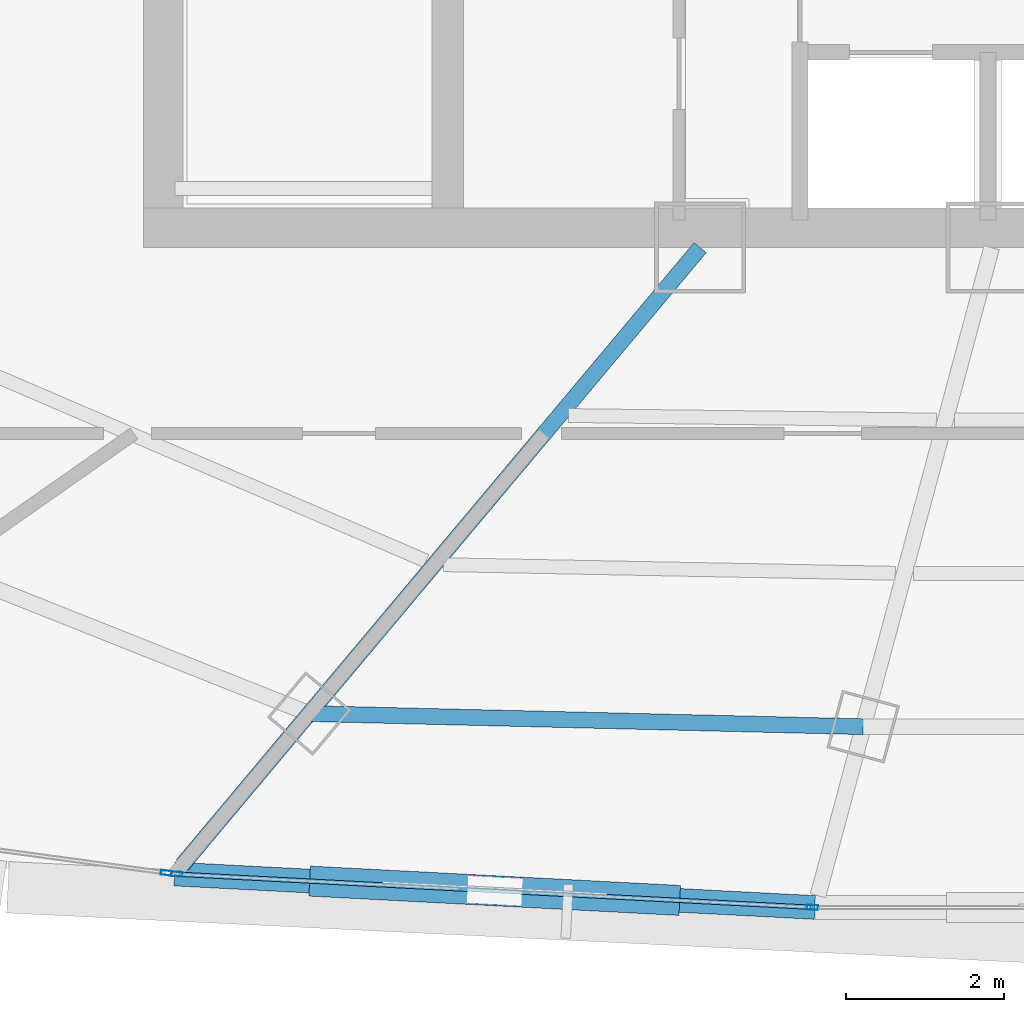
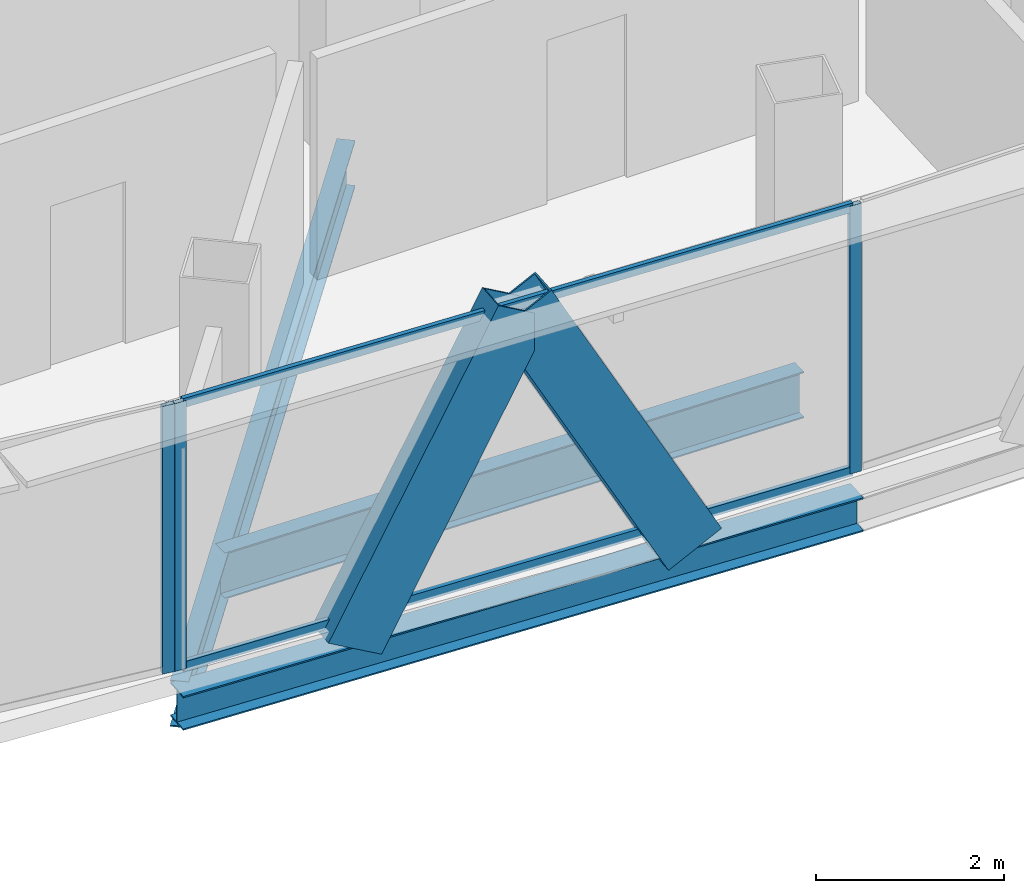
# One storey, part 6 of 40: 7 members, 3 beams, 2 elements without a shape of their own.
"""IFC4 building model written with IfcOpenShell, lengths in metres."""

from ifc_helpers import new_model, si_unit, direction, frame, origin, origin_2d, place, context, subcontext, project, spatial, hollow_rectangle, i_section, extrude, source, transform, mapped, material, layer, layer_set, material_profile, profile_set, type_object, element, aggregate, save


model = new_model("IFC4")

# Units and contexts
model_context = context("Model", 3, precision=1e-05, world=origin(), true_north=direction((0.0, 1.0)))
body_context = subcontext(model_context, "Body", "Model", "MODEL_VIEW")
ifc_project = project(units=[si_unit("LENGTHUNIT", "METRE"), si_unit("AREAUNIT", "SQUARE_METRE"), si_unit("VOLUMEUNIT", "CUBIC_METRE"), si_unit("PLANEANGLEUNIT", "RADIAN"), si_unit("MASSUNIT", "GRAM", prefix="KILO"), si_unit("THERMODYNAMICTEMPERATUREUNIT", "KELVIN"), si_unit("POWERUNIT", "WATT")], contexts=[model_context])

# Site, building, storey
site_placement = place(None, origin())
site = spatial("IfcSite", under=ifc_project, at=site_placement, CompositionType="ELEMENT")
building_placement = place(site_placement, origin())
building = spatial("IfcBuilding", under=site, at=building_placement, Name="Yunzhuo Pagoda Commons", CompositionType="ELEMENT")
storey_placement = place(building_placement, frame((0.0, 0.0, 292.47998046875)))
storey = spatial("IfcBuildingStorey", under=building, at=storey_placement, Name="L73", CompositionType="ELEMENT", Elevation=292.47998046875)

# Beams
ifc_material_1 = material(Name="Structural steel Q355B", Category="steel")
ifc_material_profile_1 = material_profile(ifc_material_1, i_section(OverallWidth=0.199951171875, OverallDepth=0.60009765625, WebThickness=0.010986328125, FlangeThickness=0.01708984375, at=origin_2d()), Name="Structural steel Q355B")
ifc_profile_set_1 = profile_set([ifc_material_profile_1], Name="Structural steel Q355B")
beam_type_1 = type_object("IfcBeamType", Name="B-RG3 Beam HN 600x200x11x17", PredefinedType="BEAM", material=ifc_profile_set_1)
shared_shape_1 = source(origin(), body_context, "Body", "SweptSolid", [
    extrude(i_section(OverallWidth=0.199951171875, OverallDepth=0.60009765625, WebThickness=0.010986328125, FlangeThickness=0.01708984375, at=origin_2d()), origin(), (0.0, 0.0, 1.0), 7.00439453125),
])
beam_1_placement = place(storey_placement, frame((37.64697265625, 21.361572265625, -0.56005859375), z_axis=(0.999719077883, -0.023701588905, 0.0), x_axis=(0.023701588905, 0.999719077883, 0.0)))
element("IfcBeam", 1, at=beam_1_placement, inside=storey, type_object=beam_type_1, Name="L73 column-ring beam 1", PredefinedType="BEAM", context=body_context, shape_type="MappedRepresentation", body=[
    mapped(shared_shape_1, transform((0.0, 0.0, 0.0), scale=1.0)),
])
shared_shape_2 = source(origin(), body_context, "Body", "SweptSolid", [
    extrude(i_section(OverallWidth=0.199951171875, OverallDepth=0.60009765625, WebThickness=0.010986328125, FlangeThickness=0.01708984375, at=origin_2d()), origin(), (0.0, 0.0, 1.0), 10.179443359375),
])
beam_2_placement = place(storey_placement, frame((36.044677734375, 19.4521484375, -0.56005859375), z_axis=(0.642789830325, 0.766042579776, 0.0), x_axis=(-0.766042579776, 0.642789830325, 0.0)))
element("IfcBeam", 2, at=beam_2_placement, inside=storey, type_object=beam_type_1, Name="L73 radial floor girder F1C1", PredefinedType="BEAM", context=body_context, shape_type="MappedRepresentation", body=[
    mapped(shared_shape_2, transform((0.0, 0.0, 0.0), scale=1.0)),
])
ifc_material_profile_2 = material_profile(ifc_material_1, i_section(OverallWidth=0.300048828125, OverallDepth=0.43994140625, WebThickness=0.010986328125, FlangeThickness=0.01806640625, at=origin_2d()), Name="Structural steel Q355B")
ifc_profile_set_2 = profile_set([ifc_material_profile_2], Name="Structural steel Q355B")
beam_type_2 = type_object("IfcBeamType", Name="B-SP2 Beam HM 440x300x11x18", PredefinedType="BEAM", material=ifc_profile_set_2)
shared_shape_3 = source(origin(), body_context, "Body", "SweptSolid", [
    extrude(i_section(OverallWidth=0.300048828125, OverallDepth=0.43994140625, WebThickness=0.010986328125, FlangeThickness=0.01806640625, at=origin_2d()), origin(), (0.0, 0.0, 1.0), 8.10302734375),
])
beam_3_placement = place(storey_placement, frame((35.945068359375, 19.33349609375, -0.47998046875), z_axis=(0.998639054255, -0.052153996166, 0.0), x_axis=(0.052153996166, 0.998639054255, 0.0)))
element("IfcBeam", 3, at=beam_3_placement, inside=storey, type_object=beam_type_2, Name="L73 facade edge spandrel beam F1.1", PredefinedType="BEAM", context=body_context, shape_type="MappedRepresentation", body=[
    mapped(shared_shape_3, transform((0.0, 0.0, 0.0), scale=1.0)),
])

# Members
ifc_material_profile_3 = material_profile(ifc_material_1, hollow_rectangle(XDim=0.3798828125, YDim=0.719970703125, WallThickness=0.02001953125, at=origin_2d()), Name="Structural steel Q355B")
ifc_profile_set_3 = profile_set([ifc_material_profile_3], Name="Structural steel Q355B")
member_type_1 = type_object("IfcMemberType", Name="M-DL3 Brace BOX 720x380x20", PredefinedType="BRACE", material=ifc_profile_set_3)
shared_shape_4 = source(origin(), body_context, "Body", "SweptSolid", [
    extrude(hollow_rectangle(XDim=0.3798828125, YDim=0.719970703125, WallThickness=0.02001953125, at=origin_2d()), origin(), (0.0, 0.0, 1.0), 4.24462890625),
])
for number, where, z_axis, x_axis, name in (
    (4, (37.968017578125, 19.227783203125, -0.260009765625), (0.476643031928, -0.024904842865, 0.878744086134), (0.052179333581, 0.998637730685, 0.0), "L73 facade diamond brace F1.1L"),
    (5, (42.01416015625, 19.016357421875, -0.260009765625), (-0.476598580338, 0.02490552562, 0.878768176491), (-0.052185613721, -0.998637402524, 0.0), "L73 facade diamond brace F1.1R"),
):
    element("IfcMember", number, at=place(storey_placement, frame(where, z_axis=z_axis, x_axis=x_axis)), inside=storey, type_object=member_type_1, Name=name, PredefinedType="BRACE", context=body_context, shape_type="MappedRepresentation", body=[
        mapped(shared_shape_4, transform((0.0, 0.0, 0.0), scale=1.0)),
    ])

# Curtain wall, members
ifc_material_2 = material(Name="Anodized aluminium 6063-T6", Category="aluminium")
ifc_layer = layer(ifc_material_2, 0.139892578125)
ifc_layer_set = layer_set([ifc_layer], Name="Anodized aluminium 6063-T6")
curtain_wall_type = type_object("IfcCurtainWallType", Name="CW-HI High-Zone Ribbon Curtain Wall", PredefinedType="NOTDEFINED", material=ifc_layer_set)
curtain_wall_1_placement = place(storey_placement, origin())
curtain_wall_1 = element("IfcCurtainWall", 6, at=curtain_wall_1_placement, inside=storey, type_object=curtain_wall_type, Name="L73 curtain wall CW-L73-F1B2", PredefinedType="NOTDEFINED")
ifc_material_profile_4 = material_profile(ifc_material_2, hollow_rectangle(XDim=0.06005859375, YDim=0.139892578125, WallThickness=0.00341796875, at=origin_2d()), Name="Anodized aluminium 6063-T6")
ifc_profile_set_4 = profile_set([ifc_material_profile_4], Name="Anodized aluminium 6063-T6")
member_type_2 = type_object("IfcMemberType", Name="CW-HI-M Mullion RHS 140x60x3.5", PredefinedType="MULLION", material=ifc_profile_set_4)
shared_shape_5 = source(origin(), body_context, "Body", "SweptSolid", [
    extrude(hollow_rectangle(XDim=0.06005859375, YDim=0.139892578125, WallThickness=0.00341796875, at=origin_2d()), origin(), (0.0, 0.0, 1.0), 3.4697265625),
])
member_1_placement = place(storey_placement, frame((35.97509765625, 19.33203125, 0.000244140625), z_axis=(0.0, 0.0, 1.0), x_axis=(0.052189625547, 0.998637192871, 0.0)))
member_1 = element("IfcMember", 7, at=member_1_placement, type_object=member_type_2, Name="CW mullion 1", PredefinedType="MULLION", context=body_context, shape_type="MappedRepresentation", body=[
    mapped(shared_shape_5, transform((0.0, 0.0, 0.0), scale=1.0)),
])
member_2_placement = place(storey_placement, frame((44.00732421875, 18.912109375, 0.000244140625), z_axis=(0.0, 0.0, 1.0), x_axis=(0.052189625547, 0.998637192871, 0.0)))
member_2 = element("IfcMember", 8, at=member_2_placement, type_object=member_type_2, Name="CW mullion 2", PredefinedType="MULLION", context=body_context, shape_type="MappedRepresentation", body=[
    mapped(shared_shape_5, transform((0.0, 0.0, 0.0), scale=1.0)),
])

# Curtain wall, member
curtain_wall_2_placement = place(storey_placement, origin())
curtain_wall_2 = element("IfcCurtainWall", 9, at=curtain_wall_2_placement, inside=storey, type_object=curtain_wall_type, Name="L73 curtain wall CW-L73-F1B1", PredefinedType="NOTDEFINED")
member_3_placement = place(storey_placement, frame((35.84130859375, 19.34765625, 0.000244140625), z_axis=(0.0, 0.0, 1.0), x_axis=(0.134853980826, 0.99086548222, 0.0)))
member_3 = element("IfcMember", 10, at=member_3_placement, type_object=member_type_2, Name="CW mullion 2", PredefinedType="MULLION", context=body_context, shape_type="MappedRepresentation", body=[
    mapped(shared_shape_5, transform((0.0, 0.0, 0.0), scale=1.0)),
])
aggregate(curtain_wall_2, [member_3])

# Member
ifc_material_profile_5 = material_profile(ifc_material_2, hollow_rectangle(XDim=0.054931640625, YDim=0.1201171875, WallThickness=0.00341796875, at=origin_2d()), Name="Anodized aluminium 6063-T6")
ifc_profile_set_5 = profile_set([ifc_material_profile_5], Name="Anodized aluminium 6063-T6")
member_type_3 = type_object("IfcMemberType", Name="CW-HI-T Transom RHS 120x55x3.5", PredefinedType="USERDEFINED", material=ifc_profile_set_5)
shared_shape_6 = source(origin(), body_context, "Body", "SweptSolid", [
    extrude(hollow_rectangle(XDim=0.054931640625, YDim=0.1201171875, WallThickness=0.00341796875, at=origin_2d()), origin(), (0.0, 0.0, 1.0), 7.983154296875),
])
member_4_placement = place(storey_placement, frame((36.005126953125, 19.330322265625, 0.027587890625), z_axis=(0.998638030657, -0.052173592218, 0.0), x_axis=(0.052173592218, 0.998638030657, 0.0)))
member_4 = element("IfcMember", 11, at=member_4_placement, type_object=member_type_3, Name="CW transom 1.1", ObjectType="TRANSOM", PredefinedType="USERDEFINED", context=body_context, shape_type="MappedRepresentation", body=[
    mapped(shared_shape_6, transform((0.0, 0.0, 0.0), scale=1.0)),
])

member_5_placement = place(storey_placement, frame((36.005126953125, 19.330322265625, 3.442626953125), z_axis=(0.998638030657, -0.052173592218, 0.0), x_axis=(0.052173592218, 0.998638030657, 0.0)))
member_5 = element("IfcMember", 12, at=member_5_placement, type_object=member_type_3, Name="CW transom 1.2", ObjectType="TRANSOM", PredefinedType="USERDEFINED", context=body_context, shape_type="MappedRepresentation", body=[
    mapped(shared_shape_6, transform((0.0, 0.0, 0.0), scale=1.0)),
])

aggregate(curtain_wall_1, [member_1, member_2, member_4, member_5])

save(model, "model.ifc")
